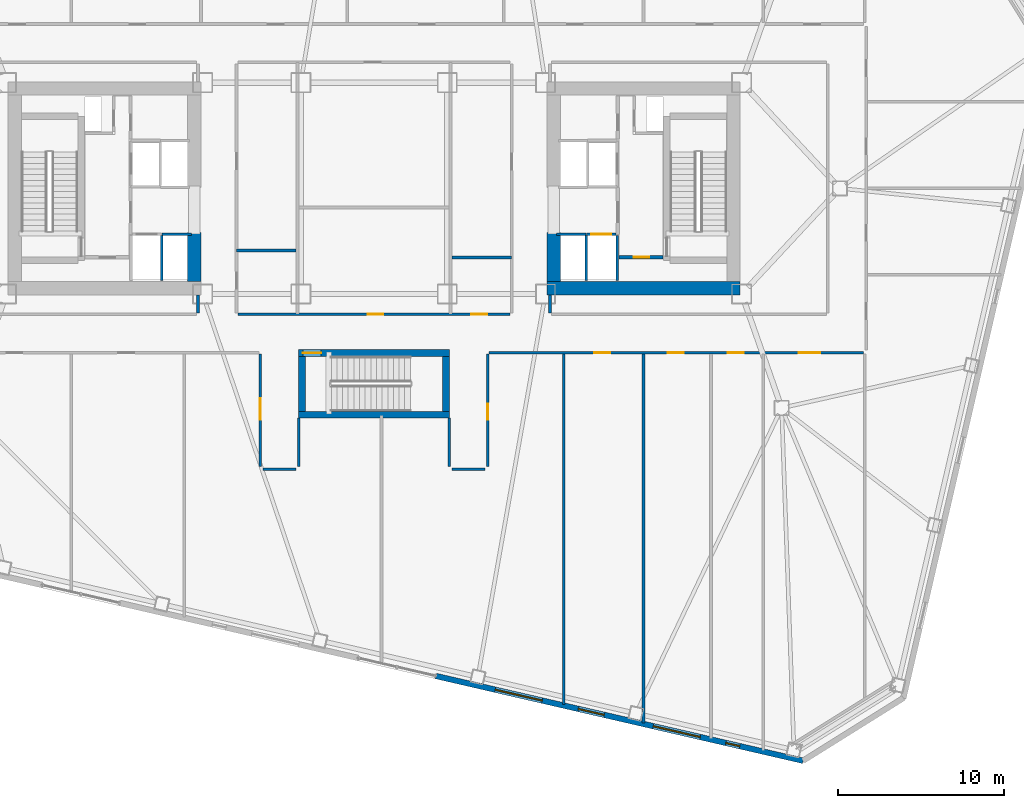
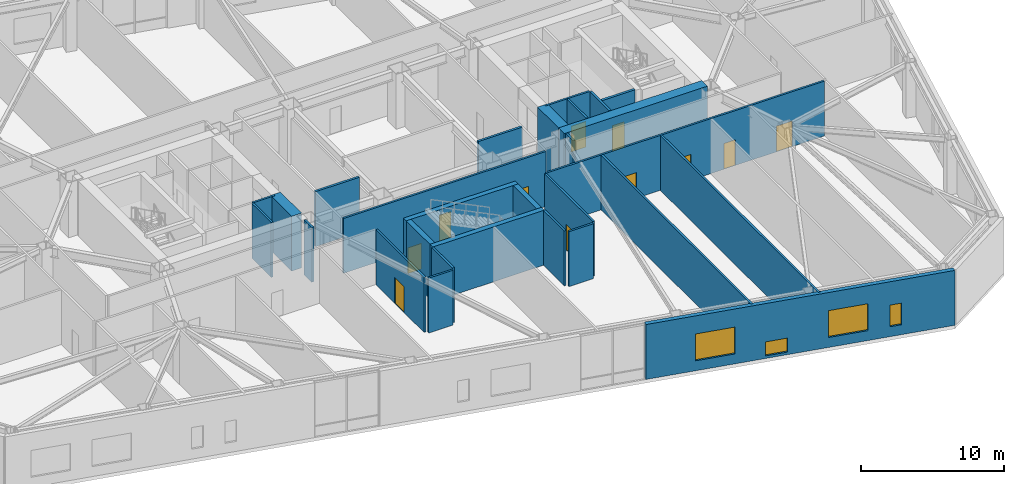
# One storey, part 10 of 20: 29 walls, 11 doors, 4 windows, 15 openings.
"""IFC4 building model written with IfcOpenShell, lengths in metres."""

from ifc_helpers import new_model, si_unit, direction, frame, frame_2d, origin, place, context, subcontext, project, spatial, rectangle, extrude, material, layer, layer_set, type_object, element, fill, save


model = new_model("IFC4")

# Units and contexts
model_context = context("Model", 3, precision=1e-05, world=origin(), true_north=direction((0.0, 1.0)))
body_context = subcontext(model_context, "Body", "Model", "MODEL_VIEW")
ifc_project = project(units=[si_unit("LENGTHUNIT", "METRE"), si_unit("AREAUNIT", "SQUARE_METRE"), si_unit("VOLUMEUNIT", "CUBIC_METRE"), si_unit("PLANEANGLEUNIT", "RADIAN"), si_unit("MASSUNIT", "GRAM", prefix="KILO")], contexts=[model_context])

# Site, building, storey
site_placement = place(None, origin())
site = spatial("IfcSite", under=ifc_project, at=site_placement, CompositionType="ELEMENT")
building_placement = place(site_placement, origin())
building = spatial("IfcBuilding", under=site, at=building_placement, Name="Tavrogorsk Clinical Tower", CompositionType="ELEMENT")
storey_placement = place(building_placement, frame((0.0, 0.0, 23.39990234375)))
storey = spatial("IfcBuildingStorey", under=building, at=storey_placement, Name="L04", CompositionType="ELEMENT", Elevation=23.39990234375)

# Wall, opening, door
ifc_material_1 = material(Name="Concrete B60", Category="concrete")
ifc_layer_1 = layer(ifc_material_1, 0.199951171875)
ifc_layer_set_1 = layer_set([ifc_layer_1], Name="Concrete B60")
wall_type_1 = type_object("IfcWallType", Name="CoreFireWall_200", PredefinedType="SOLIDWALL", material=ifc_layer_set_1)
wall_1_placement = place(storey_placement, frame((14.719970703125, -4.139892578125, 0.0), z_axis=(0.0, 0.0, 1.0), x_axis=(1.0, 0.0, 0.0)))
wall_1 = element("IfcWall", 1, at=wall_1_placement, inside=storey, type_object=wall_type_1, Name="L04 Core East South Core Room Fire Wall", PredefinedType="SOLIDWALL", context=body_context, shape_type="SweptSolid", body=[
    extrude(rectangle(XDim=2.659912109375, YDim=0.199951171875, at=frame_2d((1.330078125, 0.0))), origin(), (0.0, 0.0, 1.0), 4.7001953125),
])
opening_1_placement = place(wall_1_placement, frame((0.8798828125, 0.0, 0.0)))
opening_1 = element("IfcOpeningElement", 2, at=opening_1_placement, cuts=wall_1, Name="Opening ID-02", PredefinedType="OPENING", context=body_context, shape_type="SweptSolid", body=[
    extrude(rectangle(XDim=0.949951171875, YDim=2.199951171875, at=frame_2d((0.47509765625, 1.10009765625))), frame((0.0, 0.10986328125, 0.0), z_axis=(0.0, -1.0, 0.0), x_axis=(1.0, 0.0, 0.0)), (0.0, 0.0, 1.0), 0.219970703125),
])
ifc_material_2 = material(Name="Laminated timber leaf on aluminium frame", Category="wood")
door_type_1 = type_object("IfcDoorType", Name="InteriorDoor_ID02_950", OperationType="NOTDEFINED", PredefinedType="DOOR", material=ifc_material_2)
door_1_placement = place(opening_1_placement, origin())
door_1 = element("IfcDoor", 3, at=door_1_placement, inside=storey, type_object=door_type_1, Name="L04 Core East South Core Room Door", OperationType="SINGLE_SWING_RIGHT", OverallHeight=2.199951171875, OverallWidth=0.949951171875, PredefinedType="DOOR", context=body_context, shape_type="SweptSolid", body=[
    extrude(rectangle(XDim=0.949951171875, YDim=2.199951171875, at=frame_2d((0.47509765625, 1.10009765625))), frame((0.0, 0.02490234375, 0.0), z_axis=(0.0, -1.0, 0.0), x_axis=(1.0, 0.0, 0.0)), (0.0, 0.0, 1.0), 0.050048828125),
])
fill(opening_1, door_1)

# Wall, openings, doors
ifc_material_3 = material(Name="Lightweight concrete blockwork B15", Category="masonry")
ifc_layer_2 = layer(ifc_material_3, 0.159912109375)
ifc_layer_set_2 = layer_set([ifc_layer_2], Name="Lightweight concrete blockwork B15")
wall_type_2 = type_object("IfcWallType", Name="PartitionWall_160", PredefinedType="PARTITIONING", material=ifc_layer_set_2)
wall_2_placement = place(storey_placement, frame((29.4150390625, -9.8798828125, 0.0), z_axis=(0.0, 0.0, 1.0), x_axis=(-1.0, 0.0, 0.0)))
wall_2 = element("IfcWall", 4, at=wall_2_placement, inside=storey, type_object=wall_type_2, Name="L04 Corridor Partition 04", PredefinedType="PARTITIONING", context=body_context, shape_type="SweptSolid", body=[
    extrude(rectangle(XDim=22.5, YDim=0.159912109375, at=frame_2d((11.25, 0.0))), origin(), (0.0, 0.0, 1.0), 4.7001953125),
])
opening_2_placement = place(wall_2_placement, frame((15.22509765625, 0.0, 0.0)))
opening_2 = element("IfcOpeningElement", 5, at=opening_2_placement, cuts=wall_2, Name="Opening ID-02", PredefinedType="OPENING", context=body_context, shape_type="SweptSolid", body=[
    extrude(rectangle(XDim=0.949951171875, YDim=2.199951171875, at=frame_2d((0.47509765625, 1.10009765625))), frame((0.0, 0.08984375, 0.0), z_axis=(0.0, -1.0, 0.0), x_axis=(1.0, 0.0, 0.0)), (0.0, 0.0, 1.0), 0.179931640625),
])
opening_3_placement = place(wall_2_placement, frame((10.800048828125, 0.0, 0.0)))
opening_3 = element("IfcOpeningElement", 6, at=opening_3_placement, cuts=wall_2, Name="Opening ID-02", PredefinedType="OPENING", context=body_context, shape_type="SweptSolid", body=[
    extrude(rectangle(XDim=0.949951171875, YDim=2.199951171875, at=frame_2d((0.47509765625, 1.10009765625))), frame((0.0, 0.08984375, 0.0), z_axis=(0.0, -1.0, 0.0), x_axis=(1.0, 0.0, 0.0)), (0.0, 0.0, 1.0), 0.179931640625),
])
opening_4_placement = place(wall_2_placement, frame((7.199951171875, 0.0, 0.0)))
opening_4 = element("IfcOpeningElement", 7, at=opening_4_placement, cuts=wall_2, Name="Opening ID-02", PredefinedType="OPENING", context=body_context, shape_type="SweptSolid", body=[
    extrude(rectangle(XDim=0.949951171875, YDim=2.199951171875, at=frame_2d((0.47509765625, 1.10009765625))), frame((0.0, 0.08984375, 0.0), z_axis=(0.0, -1.0, 0.0), x_axis=(1.0, 0.0, 0.0)), (0.0, 0.0, 1.0), 0.179931640625),
])
opening_5_placement = place(wall_2_placement, frame((2.593994140625, 0.0, 0.0)))
opening_5 = element("IfcOpeningElement", 8, at=opening_5_placement, cuts=wall_2, Name="Opening ID-01", PredefinedType="OPENING", context=body_context, shape_type="SweptSolid", body=[
    extrude(rectangle(XDim=1.300048828125, YDim=2.199951171875, at=frame_2d((0.64990234375, 1.10009765625))), frame((0.0, 0.08984375, 0.0), z_axis=(0.0, -1.0, 0.0), x_axis=(1.0, 0.0, 0.0)), (0.0, 0.0, 1.0), 0.179931640625),
])
door_2_placement = place(opening_2_placement, origin())
door_2 = element("IfcDoor", 9, at=door_2_placement, inside=storey, type_object=door_type_1, Name="L04 South Soiled Theatre Sluice Room 05 Door", OperationType="SINGLE_SWING_RIGHT", OverallHeight=2.199951171875, OverallWidth=0.949951171875, PredefinedType="DOOR", context=body_context, shape_type="SweptSolid", body=[
    extrude(rectangle(XDim=0.949951171875, YDim=2.199951171875, at=frame_2d((0.47509765625, 1.10009765625))), frame((0.0, 0.02490234375, 0.0), z_axis=(0.0, -1.0, 0.0), x_axis=(1.0, 0.0, 0.0)), (0.0, 0.0, 1.0), 0.050048828125),
])
fill(opening_2, door_2)
door_3_placement = place(opening_3_placement, origin())
door_3 = element("IfcDoor", 10, at=door_3_placement, inside=storey, type_object=door_type_1, Name="L04 South Perioperative Charge Office 06A Door", OperationType="SINGLE_SWING_LEFT", OverallHeight=2.199951171875, OverallWidth=0.949951171875, PredefinedType="DOOR", context=body_context, shape_type="SweptSolid", body=[
    extrude(rectangle(XDim=0.949951171875, YDim=2.199951171875, at=frame_2d((0.47509765625, 1.10009765625))), frame((0.0, 0.02490234375, 0.0), z_axis=(0.0, -1.0, 0.0), x_axis=(1.0, 0.0, 0.0)), (0.0, 0.0, 1.0), 0.050048828125),
])
fill(opening_3, door_3)
door_4_placement = place(opening_4_placement, origin())
door_4 = element("IfcDoor", 11, at=door_4_placement, inside=storey, type_object=door_type_1, Name="L04 South Operating Theatre 06B Door", OperationType="SINGLE_SWING_RIGHT", OverallHeight=2.199951171875, OverallWidth=0.949951171875, PredefinedType="DOOR", context=body_context, shape_type="SweptSolid", body=[
    extrude(rectangle(XDim=0.949951171875, YDim=2.199951171875, at=frame_2d((0.47509765625, 1.10009765625))), frame((0.0, 0.02490234375, 0.0), z_axis=(0.0, -1.0, 0.0), x_axis=(1.0, 0.0, 0.0)), (0.0, 0.0, 1.0), 0.050048828125),
])
fill(opening_4, door_4)
ifc_material_4 = material(Name="Antibacterial HPL medical leaf on aluminium frame", Category="aluminium")
door_type_2 = type_object("IfcDoorType", Name="WardBedDoor_ID01_1300", OperationType="NOTDEFINED", PredefinedType="DOOR", material=ifc_material_4)
door_5_placement = place(opening_5_placement, origin())
door_5 = element("IfcDoor", 12, at=door_5_placement, inside=storey, type_object=door_type_2, Name="L04 South Surgical Post-Anaesthesia Recovery 07 Door", OperationType="SINGLE_SWING_LEFT", OverallHeight=2.199951171875, OverallWidth=1.300048828125, PredefinedType="DOOR", context=body_context, shape_type="SweptSolid", body=[
    extrude(rectangle(XDim=1.300048828125, YDim=2.199951171875, at=frame_2d((0.64990234375, 1.10009765625))), frame((0.0, 0.02490234375, 0.0), z_axis=(0.0, -1.0, 0.0), x_axis=(1.0, 0.0, 0.0)), (0.0, 0.0, 1.0), 0.050048828125),
])
fill(opening_5, door_5)

# Wall, opening, door
wall_3_placement = place(storey_placement, frame((6.830078125, -9.965087890625, 0.0), z_axis=(0.0, 0.0, 1.0), x_axis=(0.0, -1.0, 0.0)))
wall_3 = element("IfcWall", 13, at=wall_3_placement, inside=storey, type_object=wall_type_2, Name="L04 Corridor Partition 05", PredefinedType="PARTITIONING", context=body_context, shape_type="SweptSolid", body=[
    extrude(rectangle(XDim=6.75, YDim=0.159912109375, at=frame_2d((3.375, 0.0))), origin(), (0.0, 0.0, 1.0), 4.7001953125),
])
opening_6_placement = place(wall_3_placement, frame((2.985107421875, 0.0, 0.0)))
opening_6 = element("IfcOpeningElement", 14, at=opening_6_placement, cuts=wall_3, Name="Opening ID-02", PredefinedType="OPENING", context=body_context, shape_type="SweptSolid", body=[
    extrude(rectangle(XDim=0.949951171875, YDim=2.199951171875, at=frame_2d((0.47509765625, 1.10009765625))), frame((0.0, 0.08984375, 0.0), z_axis=(0.0, -1.0, 0.0), x_axis=(1.0, 0.0, 0.0)), (0.0, 0.0, 1.0), 0.179931640625),
])
door_6_placement = place(opening_6_placement, origin())
door_6 = element("IfcDoor", 15, at=door_6_placement, inside=storey, type_object=door_type_1, Name="L04 South Sterile Theatre Supply Store 04B Door", OperationType="SINGLE_SWING_LEFT", OverallHeight=2.199951171875, OverallWidth=0.949951171875, PredefinedType="DOOR", context=body_context, shape_type="SweptSolid", body=[
    extrude(rectangle(XDim=0.949951171875, YDim=2.199951171875, at=frame_2d((0.47509765625, 1.10009765625))), frame((0.0, 0.02490234375, 0.0), z_axis=(0.0, -1.0, 0.0), x_axis=(1.0, 0.0, 0.0)), (0.0, 0.0, 1.0), 0.050048828125),
])
fill(opening_6, door_6)

# Walls
wall_4_placement = place(storey_placement, frame((6.6650390625, -16.8798828125, 0.0), z_axis=(0.0, 0.0, 1.0), x_axis=(-1.0, 0.0, 0.0)))
element("IfcWall", 16, at=wall_4_placement, inside=storey, type_object=wall_type_2, Name="L04 Corridor Partition 06", PredefinedType="PARTITIONING", context=body_context, shape_type="SweptSolid", body=[
    extrude(rectangle(XDim=1.97998046875, YDim=0.159912109375, at=frame_2d((0.989990234375, 0.0))), origin(), (0.0, 0.0, 1.0), 4.7001953125),
])
for number, where, z_axis, x_axis, name in (
    (17, (4.52001953125, -16.715087890625, 0.0), (0.0, 0.0, 1.0), (0.0, 1.0, 0.0), "L04 Corridor Partition 07"),
    (18, (-4.52001953125, -13.800048828125, 0.0), (0.0, 0.0, 1.0), (0.0, -1.0, 0.0), "L04 Corridor Partition 08"),
):
    element("IfcWall", number, at=place(storey_placement, frame(where, z_axis=z_axis, x_axis=x_axis)), inside=storey, type_object=wall_type_2, Name=name, PredefinedType="PARTITIONING", context=body_context, shape_type="SweptSolid", body=[
        extrude(rectangle(XDim=2.9150390625, YDim=0.159912109375, at=frame_2d((1.45751953125, 0.0))), origin(), (0.0, 0.0, 1.0), 4.7001953125),
    ])
wall_5_placement = place(storey_placement, frame((-4.68505859375, -16.8798828125, 0.0), z_axis=(0.0, 0.0, 1.0), x_axis=(-1.0, 0.0, 0.0)))
element("IfcWall", 19, at=wall_5_placement, inside=storey, type_object=wall_type_2, Name="L04 Corridor Partition 09", PredefinedType="PARTITIONING", context=body_context, shape_type="SweptSolid", body=[
    extrude(rectangle(XDim=1.97998046875, YDim=0.159912109375, at=frame_2d((0.989990234375, 0.0))), origin(), (0.0, 0.0, 1.0), 4.7001953125),
])

# Wall, opening, door
wall_6_placement = place(storey_placement, frame((-6.830078125, -16.715087890625, 0.0), z_axis=(0.0, 0.0, 1.0), x_axis=(0.0, 1.0, 0.0)))
wall_6 = element("IfcWall", 20, at=wall_6_placement, inside=storey, type_object=wall_type_2, Name="L04 Corridor Partition 10", PredefinedType="PARTITIONING", context=body_context, shape_type="SweptSolid", body=[
    extrude(rectangle(XDim=6.75, YDim=0.159912109375, at=frame_2d((3.375, 0.0))), origin(), (0.0, 0.0, 1.0), 4.7001953125),
])
opening_7_placement = place(wall_6_placement, frame((2.81005859375, 0.0, 0.0)))
opening_7 = element("IfcOpeningElement", 21, at=opening_7_placement, cuts=wall_6, Name="Opening ID-01", PredefinedType="OPENING", context=body_context, shape_type="SweptSolid", body=[
    extrude(rectangle(XDim=1.300048828125, YDim=2.199951171875, at=frame_2d((0.64990234375, 1.10009765625))), frame((0.0, 0.08984375, 0.0), z_axis=(0.0, -1.0, 0.0), x_axis=(1.0, 0.0, 0.0)), (0.0, 0.0, 1.0), 0.179931640625),
])
door_7_placement = place(opening_7_placement, origin())
door_7 = element("IfcDoor", 22, at=door_7_placement, inside=storey, type_object=door_type_2, Name="L04 South Surgical Post-Anaesthesia Recovery 04A Door", OperationType="SINGLE_SWING_RIGHT", OverallHeight=2.199951171875, OverallWidth=1.300048828125, PredefinedType="DOOR", context=body_context, shape_type="SweptSolid", body=[
    extrude(rectangle(XDim=1.300048828125, YDim=2.199951171875, at=frame_2d((0.64990234375, 1.10009765625))), frame((0.0, 0.02490234375, 0.0), z_axis=(0.0, -1.0, 0.0), x_axis=(1.0, 0.0, 0.0)), (0.0, 0.0, 1.0), 0.050048828125),
])
fill(opening_7, door_7)

# Wall
wall_7_placement = place(storey_placement, frame((10.580078125, -6.419921875, 0.0), z_axis=(0.0, 0.0, 1.0), x_axis=(0.0, -1.0, 0.0)))
element("IfcWall", 23, at=wall_7_placement, inside=storey, type_object=wall_type_2, Name="L04 Corridor Partition 14", PredefinedType="PARTITIONING", context=body_context, shape_type="SweptSolid", body=[
    extrude(rectangle(XDim=1.065185546875, YDim=0.159912109375, at=frame_2d((0.53271484375, 0.0))), origin(), (0.0, 0.0, 1.0), 4.7001953125),
])

# Wall, openings, doors
wall_8_placement = place(storey_placement, frame((-8.18505859375, -7.570068359375, 0.0), z_axis=(0.0, 0.0, 1.0), x_axis=(1.0, 0.0, 0.0)))
wall_8 = element("IfcWall", 24, at=wall_8_placement, inside=storey, type_object=wall_type_2, Name="L04 Corridor Partition 19", PredefinedType="PARTITIONING", context=body_context, shape_type="SweptSolid", body=[
    extrude(rectangle(XDim=16.3701171875, YDim=0.159912109375, at=frame_2d((8.18505859375, 0.0))), origin(), (0.0, 0.0, 1.0), 4.7001953125),
])
opening_8_placement = place(wall_8_placement, frame((7.794921875, 0.0, 0.0)))
opening_8 = element("IfcOpeningElement", 25, at=opening_8_placement, cuts=wall_8, Name="Opening ID-02", PredefinedType="OPENING", context=body_context, shape_type="SweptSolid", body=[
    extrude(rectangle(XDim=0.949951171875, YDim=2.199951171875, at=frame_2d((0.47509765625, 1.10009765625))), frame((0.0, 0.08984375, 0.0), z_axis=(0.0, -1.0, 0.0), x_axis=(1.0, 0.0, 0.0)), (0.0, 0.0, 1.0), 0.179931640625),
])
opening_9_placement = place(wall_8_placement, frame((14.035888671875, 0.0, 0.0)))
opening_9 = element("IfcOpeningElement", 26, at=opening_9_placement, cuts=wall_8, Name="Opening ID-02", PredefinedType="OPENING", context=body_context, shape_type="SweptSolid", body=[
    extrude(rectangle(XDim=0.949951171875, YDim=2.199951171875, at=frame_2d((0.47509765625, 1.10009765625))), frame((0.0, 0.08984375, 0.0), z_axis=(0.0, -1.0, 0.0), x_axis=(1.0, 0.0, 0.0)), (0.0, 0.0, 1.0), 0.179931640625),
])
door_8_placement = place(opening_8_placement, origin())
door_8 = element("IfcDoor", 27, at=door_8_placement, inside=storey, type_object=door_type_1, Name="L04 Multidisciplinary Conference Room Door", OperationType="SINGLE_SWING_RIGHT", OverallHeight=2.199951171875, OverallWidth=0.949951171875, PredefinedType="DOOR", context=body_context, shape_type="SweptSolid", body=[
    extrude(rectangle(XDim=0.949951171875, YDim=2.199951171875, at=frame_2d((0.47509765625, 1.10009765625))), frame((0.0, 0.02490234375, 0.0), z_axis=(0.0, -1.0, 0.0), x_axis=(1.0, 0.0, 0.0)), (0.0, 0.0, 1.0), 0.050048828125),
])
fill(opening_8, door_8)
door_9_placement = place(opening_9_placement, origin())
door_9 = element("IfcDoor", 28, at=door_9_placement, inside=storey, type_object=door_type_1, Name="L04 Staff & Visitor Accessible WC Door", OperationType="SINGLE_SWING_RIGHT", OverallHeight=2.199951171875, OverallWidth=0.949951171875, PredefinedType="DOOR", context=body_context, shape_type="SweptSolid", body=[
    extrude(rectangle(XDim=0.949951171875, YDim=2.199951171875, at=frame_2d((0.47509765625, 1.10009765625))), frame((0.0, 0.02490234375, 0.0), z_axis=(0.0, -1.0, 0.0), x_axis=(1.0, 0.0, 0.0)), (0.0, 0.0, 1.0), 0.050048828125),
])
fill(opening_9, door_9)

# Walls
wall_9_placement = place(storey_placement, frame((-10.580078125, -7.485107421875, 0.0), z_axis=(0.0, 0.0, 1.0), x_axis=(0.0, 1.0, 0.0)))
element("IfcWall", 29, at=wall_9_placement, inside=storey, type_object=wall_type_2, Name="L04 Corridor Partition 21", PredefinedType="PARTITIONING", context=body_context, shape_type="SweptSolid", body=[
    extrude(rectangle(XDim=1.065185546875, YDim=0.159912109375, at=frame_2d((0.53271484375, 0.0))), origin(), (0.0, 0.0, 1.0), 4.7001953125),
])
wall_10_placement = place(storey_placement, frame((11.39990234375, -31.01318359375, 0.0), z_axis=(0.0, 0.0, 1.0), x_axis=(0.0, 1.0, 0.0)))
element("IfcWall", 30, at=wall_10_placement, inside=storey, type_object=wall_type_2, Name="L04 South Room Partition 4", PredefinedType="PARTITIONING", context=body_context, shape_type="SweptSolid", body=[
    extrude(rectangle(XDim=21.048095703125, YDim=0.159912109375, at=frame_2d((10.52392578125, 0.0))), origin(), (0.0, 0.0, 1.0), 4.7001953125),
])
wall_11_placement = place(storey_placement, frame((16.199951171875, -32.12109375, 0.0), z_axis=(0.0, 0.0, 1.0), x_axis=(0.0, 1.0, 0.0)))
element("IfcWall", 31, at=wall_11_placement, inside=storey, type_object=wall_type_2, Name="L04 South Room Partition 5", PredefinedType="PARTITIONING", context=body_context, shape_type="SweptSolid", body=[
    extrude(rectangle(XDim=22.156005859375, YDim=0.159912109375, at=frame_2d((11.078125, 0.0))), origin(), (0.0, 0.0, 1.0), 4.7001953125),
])
ifc_material_5 = material(Name="Lightweight concrete blockwork B20", Category="masonry")
ifc_layer_3 = layer(ifc_material_5, 0.179931640625)
ifc_layer_set_3 = layer_set([ifc_layer_3], Name="Lightweight concrete blockwork B20")
wall_type_3 = type_object("IfcWallType", Name="PartitionWall_180", PredefinedType="PARTITIONING", material=ifc_layer_set_3)
for number, where, z_axis, x_axis, name in (
    (32, (-8.264892578125, -3.75, 0.0), (0.0, 0.0, 1.0), (1.0, 0.0, 0.0), "L04 Central Spine Partition 4"),
    (33, (4.695068359375, -4.14990234375, 0.0), (0.0, 0.0, 1.0), (1.0, 0.0, 0.0), "L04 Central Spine Partition 5"),
):
    element("IfcWall", number, at=place(storey_placement, frame(where, z_axis=z_axis, x_axis=x_axis)), inside=storey, type_object=wall_type_3, Name=name, PredefinedType="PARTITIONING", context=body_context, shape_type="SweptSolid", body=[
        extrude(rectangle(XDim=3.56982421875, YDim=0.179931640625, at=frame_2d((1.784912109375, 0.0))), origin(), (0.0, 0.0, 1.0), 4.7001953125),
    ])

# Wall, openings, windows
ifc_material_6 = material(Name="Precast concrete B45 with limestone cladding", Category="masonry")
ifc_layer_4 = layer(ifc_material_6, 0.340087890625)
ifc_layer_set_4 = layer_set([ifc_layer_4], Name="Precast concrete B45 with limestone cladding")
wall_type_4 = type_object("IfcWallType", Name="PrecastLimestoneWall_340", PredefinedType="STANDARD", material=ifc_layer_set_4)
wall_12_placement = place(storey_placement, frame((3.716796875, -29.31103515625, 0.0), z_axis=(0.0, 0.0, 1.0), x_axis=(0.97436993772, -0.224951604723, 0.0)))
wall_12 = element("IfcWall", 34, at=wall_12_placement, inside=storey, type_object=wall_type_4, Name="L04 S Limestone Facade Wall 3", PredefinedType="STANDARD", context=body_context, shape_type="SweptSolid", body=[
    extrude(rectangle(XDim=22.6513671875, YDim=0.340087890625, at=frame_2d((11.32568359375, 0.0))), origin(), (0.0, 0.0, 1.0), 4.7001953125),
])
opening_10_placement = place(wall_12_placement, frame((3.656494140625, 0.0, 0.85009765625)))
opening_10 = element("IfcOpeningElement", 35, at=opening_10_placement, cuts=wall_12, Name="Opening WN-10", PredefinedType="OPENING", context=body_context, shape_type="SweptSolid", body=[
    extrude(rectangle(XDim=2.89990234375, YDim=2.300048828125, at=frame_2d((1.449951171875, 1.14990234375))), frame((0.0, 0.179931640625, 0.0), z_axis=(0.0, -1.0, 0.0), x_axis=(1.0, 0.0, 0.0)), (0.0, 0.0, 1.0), 0.360107421875),
])
opening_11_placement = place(wall_12_placement, frame((8.790771484375, 0.0, 0.219970703125)))
opening_11 = element("IfcOpeningElement", 36, at=opening_11_placement, cuts=wall_12, Name="Opening WN-09", PredefinedType="OPENING", context=body_context, shape_type="SweptSolid", body=[
    extrude(rectangle(XDim=1.60009765625, YDim=1.199951171875, at=frame_2d((0.800048828125, 0.60009765625))), frame((0.0, 0.179931640625, 0.0), z_axis=(0.0, -1.0, 0.0), x_axis=(1.0, 0.0, 0.0)), (0.0, 0.0, 1.0), 0.360107421875),
])
opening_12_placement = place(wall_12_placement, frame((13.40478515625, 0.0, 0.85009765625)))
opening_12 = element("IfcOpeningElement", 37, at=opening_12_placement, cuts=wall_12, Name="Opening WN-10", PredefinedType="OPENING", context=body_context, shape_type="SweptSolid", body=[
    extrude(rectangle(XDim=2.89990234375, YDim=2.300048828125, at=frame_2d((1.449951171875, 1.14990234375))), frame((0.0, 0.179931640625, 0.0), z_axis=(0.0, -1.0, 0.0), x_axis=(1.0, 0.0, 0.0)), (0.0, 0.0, 1.0), 0.360107421875),
])
opening_13_placement = place(wall_12_placement, frame((17.889404296875, 0.0, 0.85009765625)))
opening_13 = element("IfcOpeningElement", 38, at=opening_13_placement, cuts=wall_12, Name="Opening WN-06", PredefinedType="OPENING", context=body_context, shape_type="SweptSolid", body=[
    extrude(rectangle(XDim=0.85009765625, YDim=1.85009765625, at=frame_2d((0.425048828125, 0.925048828125))), frame((0.0, 0.179931640625, 0.0), z_axis=(0.0, -1.0, 0.0), x_axis=(1.0, 0.0, 0.0)), (0.0, 0.0, 1.0), 0.360107421875),
])
ifc_material_7 = material(Name="Thermally broken aluminium frame and triple IGU", Category="aluminium")
window_type_1 = type_object("IfcWindowType", Name="DiagnosticWin_2900x2300", PartitioningType="TRIPLE_PANEL_HORIZONTAL", PredefinedType="WINDOW", material=ifc_material_7)
window_1_placement = place(opening_10_placement, origin())
window_1 = element("IfcWindow", 39, at=window_1_placement, inside=storey, type_object=window_type_1, Name="L04 S Chicago Window 07", OverallHeight=2.300048828125, OverallWidth=2.89990234375, PartitioningType="SINGLE_PANEL", PredefinedType="WINDOW", context=body_context, shape_type="SweptSolid", body=[
    extrude(rectangle(XDim=2.89990234375, YDim=2.300048828125, at=frame_2d((1.449951171875, 1.14990234375))), frame((0.0, 0.030029296875, 0.0), z_axis=(0.0, -1.0, 0.0), x_axis=(1.0, 0.0, 0.0)), (0.0, 0.0, 1.0), 0.06005859375),
])
fill(opening_10, window_1)
window_2_placement = place(opening_12_placement, origin())
window_2 = element("IfcWindow", 40, at=window_2_placement, inside=storey, type_object=window_type_1, Name="L04 S Chicago Window 09", OverallHeight=2.300048828125, OverallWidth=2.89990234375, PartitioningType="SINGLE_PANEL", PredefinedType="WINDOW", context=body_context, shape_type="SweptSolid", body=[
    extrude(rectangle(XDim=2.89990234375, YDim=2.300048828125, at=frame_2d((1.449951171875, 1.14990234375))), frame((0.0, 0.030029296875, 0.0), z_axis=(0.0, -1.0, 0.0), x_axis=(1.0, 0.0, 0.0)), (0.0, 0.0, 1.0), 0.06005859375),
])
fill(opening_12, window_2)
ifc_material_8 = material(Name="Thermally broken aluminium frame and triple IGU", Category="aluminium")
window_type_2 = type_object("IfcWindowType", Name="LowHeadTransWin_1600x1200", PartitioningType="DOUBLE_PANEL_VERTICAL", PredefinedType="WINDOW", material=ifc_material_8)
window_3_placement = place(opening_11_placement, origin())
window_3 = element("IfcWindow", 41, at=window_3_placement, inside=storey, type_object=window_type_2, Name="L04 S Chicago Window 08", OverallHeight=1.199951171875, OverallWidth=1.60009765625, PartitioningType="SINGLE_PANEL", PredefinedType="WINDOW", context=body_context, shape_type="SweptSolid", body=[
    extrude(rectangle(XDim=1.60009765625, YDim=1.199951171875, at=frame_2d((0.800048828125, 0.60009765625))), frame((0.0, 0.030029296875, 0.0), z_axis=(0.0, -1.0, 0.0), x_axis=(1.0, 0.0, 0.0)), (0.0, 0.0, 1.0), 0.06005859375),
])
fill(opening_11, window_3)
ifc_material_9 = material(Name="Thermally broken aluminium frame and triple IGU", Category="aluminium")
window_type_3 = type_object("IfcWindowType", Name="MullionSubWin_850x1850", PartitioningType="SINGLE_PANEL", PredefinedType="WINDOW", material=ifc_material_9)
window_4_placement = place(opening_13_placement, origin())
window_4 = element("IfcWindow", 42, at=window_4_placement, inside=storey, type_object=window_type_3, Name="L04 S Mullion Split Window 10A", OverallHeight=1.85009765625, OverallWidth=0.85009765625, PartitioningType="SINGLE_PANEL", PredefinedType="WINDOW", context=body_context, shape_type="SweptSolid", body=[
    extrude(rectangle(XDim=0.85009765625, YDim=1.85009765625, at=frame_2d((0.425048828125, 0.925048828125))), frame((0.0, 0.030029296875, 0.0), z_axis=(0.0, -1.0, 0.0), x_axis=(1.0, 0.0, 0.0)), (0.0, 0.0, 1.0), 0.06005859375),
])
fill(opening_13, window_4)

# Walls
ifc_material_10 = material(Name="Lightweight concrete blockwork B25", Category="masonry")
ifc_layer_5 = layer(ifc_material_10, 0.159912109375)
ifc_layer_set_5 = layer_set([ifc_layer_5], Name="Lightweight concrete blockwork B25")
wall_type_5 = type_object("IfcWallType", Name="ShaftWall_160", PredefinedType="PARTITIONING", material=ifc_layer_set_5)
wall_13_placement = place(storey_placement, frame((-12.75, -5.5400390625, 0.0), z_axis=(0.0, 0.0, 1.0), x_axis=(0.0, 1.0, 0.0)))
element("IfcWall", 43, at=wall_13_placement, inside=storey, type_object=wall_type_5, Name="L04 LP-L1 Lift Hoistway Divider Wall", PredefinedType="PARTITIONING", context=body_context, shape_type="SweptSolid", body=[
    extrude(rectangle(XDim=2.699951171875, YDim=0.159912109375, at=frame_2d((1.35009765625, 0.0))), origin(), (0.0, 0.0, 1.0), 4.7001953125),
])
wall_14_placement = place(storey_placement, frame((-12.72998046875, -2.75, 0.0), z_axis=(0.0, 0.0, 1.0), x_axis=(1.0, 0.0, 0.0)))
element("IfcWall", 44, at=wall_14_placement, inside=storey, type_object=wall_type_5, Name="L04 LP-M1 Lift Shaft Portal Wall", PredefinedType="PARTITIONING", context=body_context, shape_type="SweptSolid", body=[
    extrude(rectangle(XDim=1.760009765625, YDim=0.159912109375, at=frame_2d((0.8798828125, 0.0))), origin(), (0.0, 0.0, 1.0), 4.7001953125),
])

# Wall, opening, door
wall_15_placement = place(storey_placement, frame((12.77001953125, -2.75, 0.0), z_axis=(0.0, 0.0, 1.0), x_axis=(1.0, 0.0, 0.0)))
wall_15 = element("IfcWall", 45, at=wall_15_placement, inside=storey, type_object=wall_type_5, Name="L04 LP-L2 Lift Shaft Portal Wall", PredefinedType="PARTITIONING", context=body_context, shape_type="SweptSolid", body=[
    extrude(rectangle(XDim=1.760009765625, YDim=0.159912109375, at=frame_2d((0.8798828125, 0.0))), origin(), (0.0, 0.0, 1.0), 4.7001953125),
])
opening_14_placement = place(wall_15_placement, frame((0.280029296875, 0.0, 0.0)))
opening_14 = element("IfcOpeningElement", 46, at=opening_14_placement, cuts=wall_15, Name="Opening LD", PredefinedType="OPENING", context=body_context, shape_type="SweptSolid", body=[
    extrude(rectangle(XDim=1.199951171875, YDim=2.199951171875, at=frame_2d((0.60009765625, 1.10009765625))), frame((0.0, 0.08984375, 0.0), z_axis=(0.0, -1.0, 0.0), x_axis=(1.0, 0.0, 0.0)), (0.0, 0.0, 1.0), 0.179931640625),
])
ifc_material_11 = material(Name="Brushed stainless steel AISI 304 sliding doors", Category="steel")
door_type_3 = type_object("IfcDoorType", Name="LiftLandingDoor_LD_1200", OperationType="SLIDING_TO_LEFT", PredefinedType="DOOR", material=ifc_material_11)
door_10_placement = place(opening_14_placement, origin())
door_10 = element("IfcDoor", 47, at=door_10_placement, inside=storey, type_object=door_type_3, Name="L04 LP-L2 Sliding Lift Landing Door", OperationType="SLIDING_TO_LEFT", OverallHeight=2.199951171875, OverallWidth=1.199951171875, PredefinedType="DOOR", context=body_context, shape_type="SweptSolid", body=[
    extrude(rectangle(XDim=1.199951171875, YDim=2.199951171875, at=frame_2d((0.60009765625, 1.10009765625))), frame((0.0, 0.02490234375, 0.0), z_axis=(0.0, -1.0, 0.0), x_axis=(1.0, 0.0, 0.0)), (0.0, 0.0, 1.0), 0.050048828125),
])
fill(opening_14, door_10)

# Walls
for number, where, z_axis, x_axis, name in (
    (48, (12.75, -5.5400390625, 0.0), (0.0, 0.0, 1.0), (0.0, 1.0, 0.0), "L04 LP-L2 Lift Hoistway Divider Wall"),
    (49, (14.610107421875, -5.5400390625, 0.0), (0.0, 0.0, 1.0), (0.0, 1.0, 0.0), "L04 LP-L2 Lift Hoistway Outer Cheek Wall"),
):
    element("IfcWall", number, at=place(storey_placement, frame(where, z_axis=z_axis, x_axis=x_axis)), inside=storey, type_object=wall_type_5, Name=name, PredefinedType="PARTITIONING", context=body_context, shape_type="SweptSolid", body=[
        extrude(rectangle(XDim=2.699951171875, YDim=0.159912109375, at=frame_2d((1.35009765625, 0.0))), origin(), (0.0, 0.0, 1.0), 4.7001953125),
    ])
wall_16_placement = place(storey_placement, frame((10.969970703125, -2.75, 0.0), z_axis=(0.0, 0.0, 1.0), x_axis=(1.0, 0.0, 0.0)))
element("IfcWall", 50, at=wall_16_placement, inside=storey, type_object=wall_type_5, Name="L04 LP-M2 Lift Shaft Portal Wall", PredefinedType="PARTITIONING", context=body_context, shape_type="SweptSolid", body=[
    extrude(rectangle(XDim=1.760009765625, YDim=0.159912109375, at=frame_2d((0.8798828125, 0.0))), origin(), (0.0, 0.0, 1.0), 4.7001953125),
])
ifc_material_12 = material(Name="Concrete B80", Category="concrete")
ifc_layer_6 = layer(ifc_material_12, 0.39990234375)
ifc_layer_set_6 = layer_set([ifc_layer_6], Name="Concrete B80")
wall_type_6 = type_object("IfcWallType", Name="ShearWall_400", PredefinedType="SHEAR", material=ifc_layer_set_6)
wall_17_placement = place(storey_placement, frame((-4.52490234375, -13.60009765625, 0.0), z_axis=(0.0, 0.0, 1.0), x_axis=(1.0, 0.0, 0.0)))
element("IfcWall", 51, at=wall_17_placement, inside=storey, type_object=wall_type_6, Name="L04 Podium Stair South Shaft Wall", PredefinedType="SHEAR", context=body_context, shape_type="SweptSolid", body=[
    extrude(rectangle(XDim=9.0498046875, YDim=0.39990234375, at=frame_2d((4.52490234375, 0.0))), origin(), (0.0, 0.0, 1.0), 4.7001953125),
])

# Wall, opening, door
wall_18_placement = place(storey_placement, frame((-4.52490234375, -9.89990234375, 0.0), z_axis=(0.0, 0.0, 1.0), x_axis=(1.0, 0.0, 0.0)))
wall_18 = element("IfcWall", 52, at=wall_18_placement, inside=storey, type_object=wall_type_6, Name="L04 Podium Stair North Shaft Wall", PredefinedType="SHEAR", context=body_context, shape_type="SweptSolid", body=[
    extrude(rectangle(XDim=9.0498046875, YDim=0.39990234375, at=frame_2d((4.52490234375, 0.0))), origin(), (0.0, 0.0, 1.0), 4.7001953125),
])
opening_15_placement = place(wall_18_placement, frame((0.25, 0.0, 0.0)))
opening_15 = element("IfcOpeningElement", 53, at=opening_15_placement, cuts=wall_18, Name="Opening SD-01", PredefinedType="OPENING", context=body_context, shape_type="SweptSolid", body=[
    extrude(rectangle(XDim=1.10009765625, YDim=2.199951171875, at=frame_2d((0.550048828125, 1.10009765625))), frame((0.0, 0.2099609375, 0.0), z_axis=(0.0, -1.0, 0.0), x_axis=(1.0, 0.0, 0.0)), (0.0, 0.0, 1.0), 0.419921875),
])
ifc_material_13 = material(Name="Galvanised steel smoke-tight fire door assembly", Category="steel")
door_type_4 = type_object("IfcDoorType", Name="StairFireDoor_SD01_1100", OperationType="NOTDEFINED", PredefinedType="DOOR", material=ifc_material_13)
door_11_placement = place(opening_15_placement, origin())
door_11 = element("IfcDoor", 54, at=door_11_placement, inside=storey, type_object=door_type_4, Name="L04 ST-P Podium Stair Door", OperationType="SINGLE_SWING_LEFT", OverallHeight=2.199951171875, OverallWidth=1.10009765625, PredefinedType="DOOR", context=body_context, shape_type="SweptSolid", body=[
    extrude(rectangle(XDim=1.10009765625, YDim=2.199951171875, at=frame_2d((0.550048828125, 1.10009765625))), frame((0.0, 0.02490234375, 0.0), z_axis=(0.0, -1.0, 0.0), x_axis=(1.0, 0.0, 0.0)), (0.0, 0.0, 1.0), 0.050048828125),
])
fill(opening_15, door_11)

# Walls
for number, where, z_axis, x_axis, name in (
    (55, (-4.324951171875, -13.39990234375, 0.0), (0.0, 0.0, 1.0), (0.0, 1.0, 0.0), "L04 Podium Stair West Shaft Wall"),
    (56, (4.324951171875, -13.39990234375, 0.0), (0.0, 0.0, 1.0), (0.0, 1.0, 0.0), "L04 Podium Stair East Shaft Wall"),
):
    element("IfcWall", number, at=place(storey_placement, frame(where, z_axis=z_axis, x_axis=x_axis)), inside=storey, type_object=wall_type_6, Name=name, PredefinedType="SHEAR", context=body_context, shape_type="SweptSolid", body=[
        extrude(rectangle(XDim=3.2998046875, YDim=0.39990234375, at=frame_2d((1.64990234375, 0.0))), origin(), (0.0, 0.0, 1.0), 4.7001953125),
    ])
ifc_material_14 = material(Name="Concrete B80", Category="concrete")
ifc_layer_7 = layer(ifc_material_14, 0.800048828125)
ifc_layer_set_7 = layer_set([ifc_layer_7], Name="Concrete B80")
wall_type_7 = type_object("IfcWallType", Name="ShearWall_800", PredefinedType="SHEAR", material=ifc_layer_set_7)
wall_19_placement = place(storey_placement, frame((-10.800048828125, -5.60009765625, 0.0), z_axis=(0.0, 0.0, 1.0), x_axis=(0.0, 1.0, 0.0)))
element("IfcWall", 57, at=wall_19_placement, inside=storey, type_object=wall_type_7, Name="L04 Core West Inner South Pier", PredefinedType="SHEAR", context=body_context, shape_type="SweptSolid", body=[
    extrude(rectangle(XDim=2.9501953125, YDim=0.800048828125, at=frame_2d((1.47509765625, 0.0))), origin(), (0.0, 0.0, 1.0), 4.7001953125),
])
wall_20_placement = place(storey_placement, frame((10.39990234375, -6.0, 0.0), z_axis=(0.0, 0.0, 1.0), x_axis=(1.0, 0.0, 0.0)))
element("IfcWall", 58, at=wall_20_placement, inside=storey, type_object=wall_type_7, Name="L04 Core East South Shear Wall", PredefinedType="SHEAR", context=body_context, shape_type="SweptSolid", body=[
    extrude(rectangle(XDim=11.60009765625, YDim=0.800048828125, at=frame_2d((5.800048828125, 0.0))), origin(), (0.0, 0.0, 1.0), 4.7001953125),
])
wall_21_placement = place(storey_placement, frame((10.800048828125, -5.60009765625, 0.0), z_axis=(0.0, 0.0, 1.0), x_axis=(0.0, 1.0, 0.0)))
element("IfcWall", 59, at=wall_21_placement, inside=storey, type_object=wall_type_7, Name="L04 Core East Inner South Pier", PredefinedType="SHEAR", context=body_context, shape_type="SweptSolid", body=[
    extrude(rectangle(XDim=2.9501953125, YDim=0.800048828125, at=frame_2d((1.47509765625, 0.0))), origin(), (0.0, 0.0, 1.0), 4.7001953125),
])

save(model, "model.ifc")
